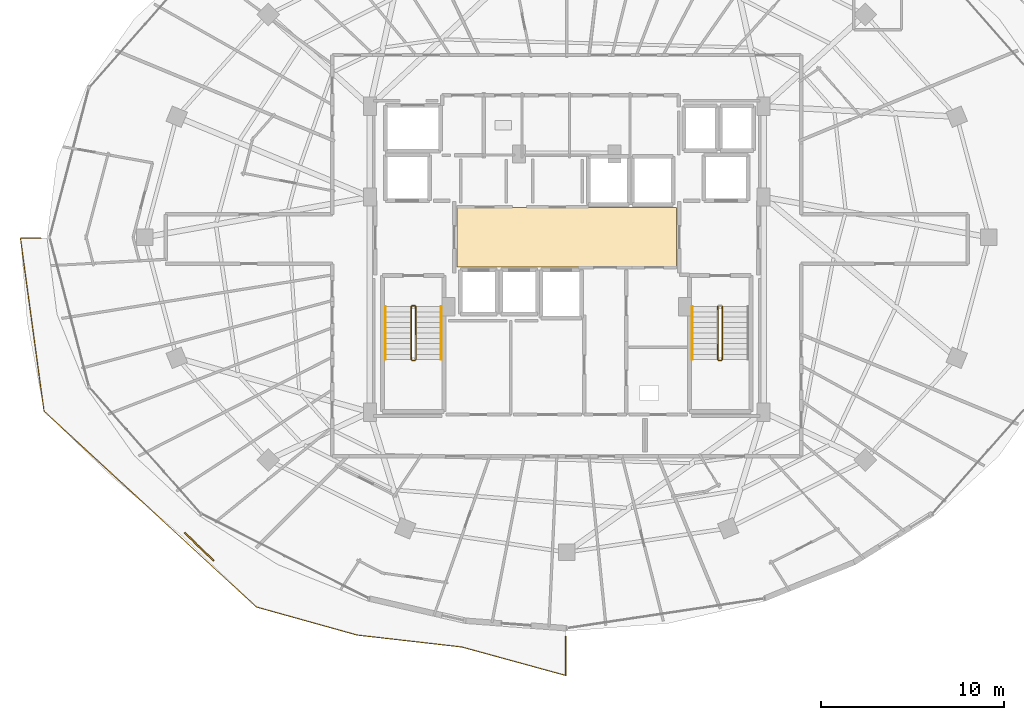
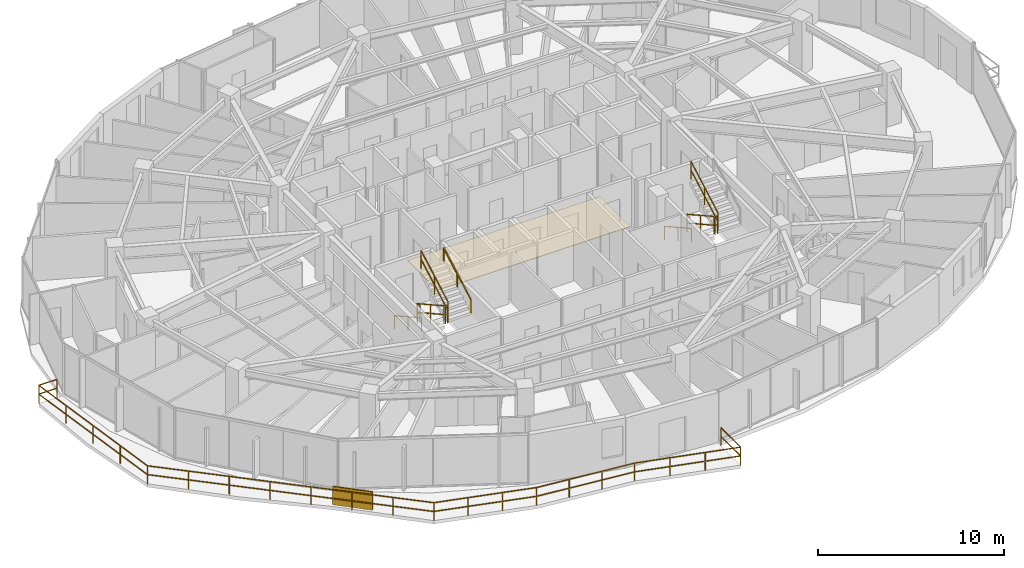
# One storey, part 31 of 33: 12 railings, 1 covering, 1 shading device.
"""IFC4 building model written with IfcOpenShell, lengths in metres."""

from ifc_helpers import new_model, si_unit, direction, frame, origin, origin_2d, place, context, subcontext, project, spatial, polyline, rectangle, outline, extrude, material, layer, layer_set, type_object, element, save


model = new_model("IFC4")

# Units and contexts
model_context = context("Model", 3, precision=1e-05, world=origin(), true_north=direction((0.0, 1.0)))
body_context = subcontext(model_context, "Body", "Model", "MODEL_VIEW")
ifc_project = project(units=[si_unit("LENGTHUNIT", "METRE"), si_unit("AREAUNIT", "SQUARE_METRE"), si_unit("VOLUMEUNIT", "CUBIC_METRE"), si_unit("PLANEANGLEUNIT", "RADIAN"), si_unit("MASSUNIT", "GRAM", prefix="KILO")], contexts=[model_context])

# Site, building, storey
site_placement = place(None, origin())
site = spatial("IfcSite", under=ifc_project, at=site_placement, CompositionType="ELEMENT")
building_placement = place(site_placement, origin())
building = spatial("IfcBuilding", under=site, at=building_placement, Name="Vorneva Point Tower", CompositionType="ELEMENT")
storey_placement = place(building_placement, frame((0.0, 0.0, 217.85009765625)))
storey = spatial("IfcBuildingStorey", under=building, at=storey_placement, Name="L59", CompositionType="ELEMENT", Elevation=217.85009765625)

# Covering
ifc_material_1 = material(Name="Acoustic wool hospitality carpet", Category="textile")
ifc_layer = layer(ifc_material_1, 0.01806640625)
ifc_layer_set = layer_set([ifc_layer], Name="Acoustic wool hospitality carpet")
covering_type = type_object("IfcCoveringType", Name="COV-FLR-CRP", PredefinedType="FLOORING", material=ifc_layer_set)
covering_placement = place(storey_placement, frame((0.0, 0.0, -0.005126953125)))
element("IfcCovering", 1, at=covering_placement, inside=storey, type_object=covering_type, Name="L59 Lift Lobby Floor Finish", PredefinedType="FLOORING", context=body_context, shape_type="SweptSolid", body=[
    extrude(outline(polyline([(32.02001953125, 24.3701171875), (43.97998046875, 24.3701171875), (43.97998046875, 27.6298828125), (32.02001953125, 27.6298828125), (32.02001953125, 24.3701171875)])), origin(), (0.0, 0.0, 1.0), 0.02294921875),
])

# Railings
ifc_material_2 = material(Name="Pale anodised aluminium", Category="aluminium")
railing_type_1 = type_object("IfcRailingType", Name="RL-BAL-1200", PredefinedType="BALUSTRADE", material=ifc_material_2)
railing_1_placement = place(storey_placement, frame((37.949951171875, 2.068603515625, 0.0)))
element("IfcRailing", 2, at=railing_1_placement, inside=storey, type_object=railing_type_1, Name="L59 Wave Balcony Balustrade SW.1", PredefinedType="BALUSTRADE", context=body_context, shape_type="SweptSolid", body=[
    extrude(rectangle(XDim=0.048095703125, YDim=0.048095703125, at=origin_2d()), frame((0.0, 0.0, 1.17578125), z_axis=(0.0, 1.0, 0.0), x_axis=(-1.0, 0.0, 0.0)), (0.0, 0.0, 1.0), 2.1142578125),
    extrude(rectangle(XDim=0.048095703125, YDim=0.048095703125, at=origin_2d()), frame((0.0, 0.0, 0.60009765625), z_axis=(0.0, 1.0, 0.0), x_axis=(-1.0, 0.0, 0.0)), (0.0, 0.0, 1.0), 2.1142578125),
    extrude(rectangle(XDim=0.0419921875, YDim=0.0419921875, at=origin_2d()), origin(), (0.0, 0.0, 1.0), 1.15185546875),
    extrude(rectangle(XDim=0.0419921875, YDim=0.0419921875, at=origin_2d()), frame((0.0, 2.1142578125, 0.0)), (0.0, 0.0, 1.0), 1.15185546875),
])
railing_2_placement = place(storey_placement, frame((9.3037109375, 25.949951171875, 0.0)))
element("IfcRailing", 3, at=railing_2_placement, inside=storey, type_object=railing_type_1, Name="L59 Wave Balcony Balustrade SW.2", PredefinedType="BALUSTRADE", context=body_context, shape_type="SweptSolid", body=[
    extrude(rectangle(XDim=0.048095703125, YDim=0.048095703125, at=origin_2d()), frame((0.0, 0.0, 1.17578125), z_axis=(-1.0, 0.0, 0.0), x_axis=(0.0, -1.0, 0.0)), (0.0, 0.0, 1.0), 1.134765625),
    extrude(rectangle(XDim=0.048095703125, YDim=0.048095703125, at=origin_2d()), frame((0.0, 0.0, 0.60009765625), z_axis=(-1.0, 0.0, 0.0), x_axis=(0.0, -1.0, 0.0)), (0.0, 0.0, 1.0), 1.134765625),
    extrude(rectangle(XDim=0.048095703125, YDim=0.048095703125, at=origin_2d()), frame((-1.134765625, 0.0, 1.17578125), z_axis=(0.134869854504, -0.990863321728, 0.0), x_axis=(0.990863321728, 0.134869854504, 0.0)), (0.0, 0.0, 1.0), 9.5361328125),
    extrude(rectangle(XDim=0.048095703125, YDim=0.048095703125, at=origin_2d()), frame((-1.134765625, 0.0, 0.60009765625), z_axis=(0.134869854504, -0.990863321728, 0.0), x_axis=(0.990863321728, 0.134869854504, 0.0)), (0.0, 0.0, 1.0), 9.5361328125),
    extrude(rectangle(XDim=0.048095703125, YDim=0.048095703125, at=origin_2d()), frame((0.1513671875, -9.448974609375, 1.17578125), z_axis=(0.735377309745, -0.677657887368, 0.0), x_axis=(0.677657887368, 0.735377309745, 0.0)), (0.0, 0.0, 1.0), 15.78125),
    extrude(rectangle(XDim=0.048095703125, YDim=0.048095703125, at=origin_2d()), frame((0.1513671875, -9.448974609375, 0.60009765625), z_axis=(0.735377309745, -0.677657887368, 0.0), x_axis=(0.677657887368, 0.735377309745, 0.0)), (0.0, 0.0, 1.0), 15.78125),
    extrude(rectangle(XDim=0.048095703125, YDim=0.048095703125, at=origin_2d()), frame((11.756591796875, -20.143310546875, 1.17578125), z_axis=(0.963324519058, -0.268339097005, 0.0), x_axis=(0.268339097005, 0.963324519058, 0.0)), (0.0, 0.0, 1.0), 5.70458984375),
    extrude(rectangle(XDim=0.048095703125, YDim=0.048095703125, at=origin_2d()), frame((11.756591796875, -20.143310546875, 0.60009765625), z_axis=(0.963324519058, -0.268339097005, 0.0), x_axis=(0.268339097005, 0.963324519058, 0.0)), (0.0, 0.0, 1.0), 5.70458984375),
    extrude(rectangle(XDim=0.048095703125, YDim=0.048095703125, at=origin_2d()), frame((17.251953125, -21.674072265625, 1.17578125), z_axis=(0.993563835957, -0.113273579794, 0.0), x_axis=(0.113273579794, 0.993563835957, 0.0)), (0.0, 0.0, 1.0), 5.75048828125),
    extrude(rectangle(XDim=0.048095703125, YDim=0.048095703125, at=origin_2d()), frame((17.251953125, -21.674072265625, 0.60009765625), z_axis=(0.993563835957, -0.113273579794, 0.0), x_axis=(0.113273579794, 0.993563835957, 0.0)), (0.0, 0.0, 1.0), 5.75048828125),
    extrude(rectangle(XDim=0.048095703125, YDim=0.048095703125, at=origin_2d()), frame((22.96533203125, -22.325439453125, 1.17578125), z_axis=(0.964480133149, -0.264155395099, 0.0), x_axis=(0.264155395099, 0.964480133149, 0.0)), (0.0, 0.0, 1.0), 5.89013671875),
    extrude(rectangle(XDim=0.048095703125, YDim=0.048095703125, at=origin_2d()), frame((22.96533203125, -22.325439453125, 0.60009765625), z_axis=(0.964480133149, -0.264155395099, 0.0), x_axis=(0.264155395099, 0.964480133149, 0.0)), (0.0, 0.0, 1.0), 5.89013671875),
    extrude(rectangle(XDim=0.0419921875, YDim=0.0419921875, at=origin_2d()), origin(), (0.0, 0.0, 1.0), 1.15185546875),
    extrude(rectangle(XDim=0.0419921875, YDim=0.0419921875, at=origin_2d()), frame((-1.134765625, 0.0, 0.0)), (0.0, 0.0, 1.0), 1.15185546875),
    extrude(rectangle(XDim=0.0419921875, YDim=0.0419921875, at=origin_2d()), frame((-0.813232421875, -2.3623046875, 0.0)), (0.0, 0.0, 1.0), 1.15185546875),
    extrude(rectangle(XDim=0.0419921875, YDim=0.0419921875, at=origin_2d()), frame((-0.49169921875, -4.724609375, 0.0)), (0.0, 0.0, 1.0), 1.15185546875),
    extrude(rectangle(XDim=0.0419921875, YDim=0.0419921875, at=origin_2d()), frame((-0.170166015625, -7.086669921875, 0.0)), (0.0, 0.0, 1.0), 1.15185546875),
    extrude(rectangle(XDim=0.0419921875, YDim=0.0419921875, at=origin_2d()), frame((0.1513671875, -9.448974609375, 0.0)), (0.0, 0.0, 1.0), 1.15185546875),
    extrude(rectangle(XDim=0.0419921875, YDim=0.0419921875, at=origin_2d()), frame((1.809326171875, -10.976806640625, 0.0)), (0.0, 0.0, 1.0), 1.15185546875),
    extrude(rectangle(XDim=0.0419921875, YDim=0.0419921875, at=origin_2d()), frame((3.467041015625, -12.50439453125, 0.0)), (0.0, 0.0, 1.0), 1.15185546875),
    extrude(rectangle(XDim=0.0419921875, YDim=0.0419921875, at=origin_2d()), frame((5.125, -14.0322265625, 0.0)), (0.0, 0.0, 1.0), 1.15185546875),
    extrude(rectangle(XDim=0.0419921875, YDim=0.0419921875, at=origin_2d()), frame((6.782958984375, -15.56005859375, 0.0)), (0.0, 0.0, 1.0), 1.15185546875),
    extrude(rectangle(XDim=0.0419921875, YDim=0.0419921875, at=origin_2d()), frame((8.44091796875, -17.087890625, 0.0)), (0.0, 0.0, 1.0), 1.15185546875),
    extrude(rectangle(XDim=0.0419921875, YDim=0.0419921875, at=origin_2d()), frame((10.0986328125, -18.615478515625, 0.0)), (0.0, 0.0, 1.0), 1.15185546875),
    extrude(rectangle(XDim=0.0419921875, YDim=0.0419921875, at=origin_2d()), frame((11.756591796875, -20.143310546875, 0.0)), (0.0, 0.0, 1.0), 1.15185546875),
    extrude(rectangle(XDim=0.0419921875, YDim=0.0419921875, at=origin_2d()), frame((13.58837890625, -20.653564453125, 0.0)), (0.0, 0.0, 1.0), 1.15185546875),
    extrude(rectangle(XDim=0.0419921875, YDim=0.0419921875, at=origin_2d()), frame((15.420166015625, -21.163818359375, 0.0)), (0.0, 0.0, 1.0), 1.15185546875),
    extrude(rectangle(XDim=0.0419921875, YDim=0.0419921875, at=origin_2d()), frame((17.251953125, -21.674072265625, 0.0)), (0.0, 0.0, 1.0), 1.15185546875),
    extrude(rectangle(XDim=0.0419921875, YDim=0.0419921875, at=origin_2d()), frame((19.156494140625, -21.89111328125, 0.0)), (0.0, 0.0, 1.0), 1.15185546875),
    extrude(rectangle(XDim=0.0419921875, YDim=0.0419921875, at=origin_2d()), frame((21.060791015625, -22.1083984375, 0.0)), (0.0, 0.0, 1.0), 1.15185546875),
    extrude(rectangle(XDim=0.0419921875, YDim=0.0419921875, at=origin_2d()), frame((22.96533203125, -22.325439453125, 0.0)), (0.0, 0.0, 1.0), 1.15185546875),
    extrude(rectangle(XDim=0.0419921875, YDim=0.0419921875, at=origin_2d()), frame((24.85888671875, -22.843994140625, 0.0)), (0.0, 0.0, 1.0), 1.15185546875),
    extrude(rectangle(XDim=0.0419921875, YDim=0.0419921875, at=origin_2d()), frame((26.752685546875, -23.36279296875, 0.0)), (0.0, 0.0, 1.0), 1.15185546875),
    extrude(rectangle(XDim=0.0419921875, YDim=0.0419921875, at=origin_2d()), frame((28.646240234375, -23.88134765625, 0.0)), (0.0, 0.0, 1.0), 1.15185546875),
])
ifc_material_3 = material(Name="Brushed stainless steel S304", Category="steel")
railing_type_2 = type_object("IfcRailingType", Name="RL-HND-920", PredefinedType="HANDRAIL", material=ifc_material_3)
railing_3_placement = place(storey_placement, frame((28.10009765625, 22.219970703125, 0.161376953125)))
element("IfcRailing", 4, at=railing_3_placement, inside=storey, type_object=railing_type_2, Name="L59 ST1 stair handrail 1", PredefinedType="HANDRAIL", context=body_context, shape_type="SweptSolid", body=[
    extrude(rectangle(XDim=0.048095703125, YDim=0.048095703125, at=origin_2d()), frame((0.0, 0.0, 0.8759765625), z_axis=(0.0, -0.873841303929, 0.486211245805), x_axis=(1.0, 0.0, 0.0)), (0.0, 0.0, 1.0), 3.318603515625),
    extrude(rectangle(XDim=0.0419921875, YDim=0.0419921875, at=origin_2d()), origin(), (0.0, 0.0, 1.0), 0.851806640625),
    extrude(rectangle(XDim=0.0419921875, YDim=0.0419921875, at=origin_2d()), frame((0.0, -1.449951171875, 0.806640625)), (0.0, 0.0, 1.0), 0.851806640625),
    extrude(rectangle(XDim=0.0419921875, YDim=0.0419921875, at=origin_2d()), frame((0.0, -2.89990234375, 1.613525390625)), (0.0, 0.0, 1.0), 0.851806640625),
])
railing_4_placement = place(storey_placement, frame((31.14990234375, 19.320068359375, 1.936279296875)))
element("IfcRailing", 5, at=railing_4_placement, inside=storey, type_object=railing_type_2, Name="L59 ST1 stair handrail 2", PredefinedType="HANDRAIL", context=body_context, shape_type="SweptSolid", body=[
    extrude(rectangle(XDim=0.048095703125, YDim=0.048095703125, at=origin_2d()), frame((0.0, 0.0, 0.8759765625), z_axis=(0.0, 0.873841303929, 0.486211245805), x_axis=(-1.0, 0.0, 0.0)), (0.0, 0.0, 1.0), 3.318603515625),
    extrude(rectangle(XDim=0.0419921875, YDim=0.0419921875, at=origin_2d()), origin(), (0.0, 0.0, 1.0), 0.851806640625),
    extrude(rectangle(XDim=0.0419921875, YDim=0.0419921875, at=origin_2d()), frame((0.0, 1.449951171875, 0.806640625)), (0.0, 0.0, 1.0), 0.851806640625),
    extrude(rectangle(XDim=0.0419921875, YDim=0.0419921875, at=origin_2d()), frame((0.0, 2.89990234375, 1.613525390625)), (0.0, 0.0, 1.0), 0.851806640625),
])
railing_5_placement = place(storey_placement, frame((44.85009765625, 22.219970703125, 0.161376953125)))
element("IfcRailing", 6, at=railing_5_placement, inside=storey, type_object=railing_type_2, Name="L59 ST2 stair handrail 1", PredefinedType="HANDRAIL", context=body_context, shape_type="SweptSolid", body=[
    extrude(rectangle(XDim=0.048095703125, YDim=0.048095703125, at=origin_2d()), frame((0.0, 0.0, 0.8759765625), z_axis=(0.0, -0.873841303929, 0.486211245805), x_axis=(1.0, 0.0, 0.0)), (0.0, 0.0, 1.0), 3.318603515625),
    extrude(rectangle(XDim=0.0419921875, YDim=0.0419921875, at=origin_2d()), origin(), (0.0, 0.0, 1.0), 0.851806640625),
    extrude(rectangle(XDim=0.0419921875, YDim=0.0419921875, at=origin_2d()), frame((0.0, -1.449951171875, 0.806640625)), (0.0, 0.0, 1.0), 0.851806640625),
    extrude(rectangle(XDim=0.0419921875, YDim=0.0419921875, at=origin_2d()), frame((0.0, -2.89990234375, 1.613525390625)), (0.0, 0.0, 1.0), 0.851806640625),
])
railing_type_3 = type_object("IfcRailingType", Name="RL-STG-1100", PredefinedType="GUARDRAIL", material=ifc_material_3)
railing_6_placement = place(storey_placement, frame((29.5, 22.219970703125, 0.161376953125)))
element("IfcRailing", 7, at=railing_6_placement, inside=storey, type_object=railing_type_3, Name="L59 ST1 stair guard 1", PredefinedType="GUARDRAIL", context=body_context, shape_type="SweptSolid", body=[
    extrude(rectangle(XDim=0.048095703125, YDim=0.048095703125, at=origin_2d()), frame((0.0, 0.0, 1.17578125), z_axis=(0.0, -0.873841303929, 0.486211245805), x_axis=(1.0, 0.0, 0.0)), (0.0, 0.0, 1.0), 3.318603515625),
    extrude(rectangle(XDim=0.048095703125, YDim=0.048095703125, at=origin_2d()), frame((0.0, 0.0, 0.60009765625), z_axis=(0.0, -0.873841303929, 0.486211245805), x_axis=(1.0, 0.0, 0.0)), (0.0, 0.0, 1.0), 3.318603515625),
    extrude(rectangle(XDim=0.0419921875, YDim=0.0419921875, at=origin_2d()), origin(), (0.0, 0.0, 1.0), 1.15185546875),
    extrude(rectangle(XDim=0.0419921875, YDim=0.0419921875, at=origin_2d()), frame((0.0, -1.449951171875, 0.806640625)), (0.0, 0.0, 1.0), 1.15185546875),
    extrude(rectangle(XDim=0.0419921875, YDim=0.0419921875, at=origin_2d()), frame((0.0, -2.89990234375, 1.613525390625)), (0.0, 0.0, 1.0), 1.15185546875),
])
railing_7_placement = place(storey_placement, frame((29.550048828125, 19.27001953125, 1.77490234375)))
element("IfcRailing", 8, at=railing_7_placement, inside=storey, type_object=railing_type_3, Name="L59 ST1 stair guard 2", PredefinedType="GUARDRAIL", context=body_context, shape_type="SweptSolid", body=[
    extrude(rectangle(XDim=0.048095703125, YDim=0.048095703125, at=origin_2d()), frame((0.0, 0.0, 1.17578125), z_axis=(1.0, 0.0, 0.0), x_axis=(0.0, 1.0, 0.0)), (0.0, 0.0, 1.0), 0.14990234375),
    extrude(rectangle(XDim=0.048095703125, YDim=0.048095703125, at=origin_2d()), frame((0.0, 0.0, 0.60009765625), z_axis=(1.0, 0.0, 0.0), x_axis=(0.0, 1.0, 0.0)), (0.0, 0.0, 1.0), 0.14990234375),
    extrude(rectangle(XDim=0.0419921875, YDim=0.0419921875, at=origin_2d()), origin(), (0.0, 0.0, 1.0), 1.15185546875),
    extrude(rectangle(XDim=0.0419921875, YDim=0.0419921875, at=origin_2d()), frame((0.14990234375, 0.0, 0.0)), (0.0, 0.0, 1.0), 1.15185546875),
])
railing_8_placement = place(storey_placement, frame((29.75, 19.320068359375, 1.936279296875)))
element("IfcRailing", 9, at=railing_8_placement, inside=storey, type_object=railing_type_3, Name="L59 ST1 stair guard 3", PredefinedType="GUARDRAIL", context=body_context, shape_type="SweptSolid", body=[
    extrude(rectangle(XDim=0.048095703125, YDim=0.048095703125, at=origin_2d()), frame((0.0, 0.0, 1.17578125), z_axis=(0.0, 0.873841303929, 0.486211245805), x_axis=(-1.0, 0.0, 0.0)), (0.0, 0.0, 1.0), 3.318603515625),
    extrude(rectangle(XDim=0.048095703125, YDim=0.048095703125, at=origin_2d()), frame((0.0, 0.0, 0.60009765625), z_axis=(0.0, 0.873841303929, 0.486211245805), x_axis=(-1.0, 0.0, 0.0)), (0.0, 0.0, 1.0), 3.318603515625),
    extrude(rectangle(XDim=0.0419921875, YDim=0.0419921875, at=origin_2d()), origin(), (0.0, 0.0, 1.0), 1.15185546875),
    extrude(rectangle(XDim=0.0419921875, YDim=0.0419921875, at=origin_2d()), frame((0.0, 1.449951171875, 0.806640625)), (0.0, 0.0, 1.0), 1.15185546875),
    extrude(rectangle(XDim=0.0419921875, YDim=0.0419921875, at=origin_2d()), frame((0.0, 2.89990234375, 1.613525390625)), (0.0, 0.0, 1.0), 1.15185546875),
])
railing_9_placement = place(storey_placement, frame((29.550048828125, 22.27001953125, 0.0)))
element("IfcRailing", 10, at=railing_9_placement, inside=storey, type_object=railing_type_3, Name="L59 ST1 stair guard 4", PredefinedType="GUARDRAIL", context=body_context, shape_type="SweptSolid", body=[
    extrude(rectangle(XDim=0.048095703125, YDim=0.048095703125, at=origin_2d()), frame((0.0, 0.0, 1.17578125), z_axis=(1.0, 0.0, 0.0), x_axis=(0.0, 1.0, 0.0)), (0.0, 0.0, 1.0), 0.14990234375),
    extrude(rectangle(XDim=0.048095703125, YDim=0.048095703125, at=origin_2d()), frame((0.0, 0.0, 0.60009765625), z_axis=(1.0, 0.0, 0.0), x_axis=(0.0, 1.0, 0.0)), (0.0, 0.0, 1.0), 0.14990234375),
    extrude(rectangle(XDim=0.0419921875, YDim=0.0419921875, at=origin_2d()), origin(), (0.0, 0.0, 1.0), 1.15185546875),
    extrude(rectangle(XDim=0.0419921875, YDim=0.0419921875, at=origin_2d()), frame((0.14990234375, 0.0, 0.0)), (0.0, 0.0, 1.0), 1.15185546875),
])
railing_10_placement = place(storey_placement, frame((46.25, 22.219970703125, 0.161376953125)))
element("IfcRailing", 11, at=railing_10_placement, inside=storey, type_object=railing_type_3, Name="L59 ST2 stair guard 1", PredefinedType="GUARDRAIL", context=body_context, shape_type="SweptSolid", body=[
    extrude(rectangle(XDim=0.048095703125, YDim=0.048095703125, at=origin_2d()), frame((0.0, 0.0, 1.17578125), z_axis=(0.0, -0.873841303929, 0.486211245805), x_axis=(1.0, 0.0, 0.0)), (0.0, 0.0, 1.0), 3.318603515625),
    extrude(rectangle(XDim=0.048095703125, YDim=0.048095703125, at=origin_2d()), frame((0.0, 0.0, 0.60009765625), z_axis=(0.0, -0.873841303929, 0.486211245805), x_axis=(1.0, 0.0, 0.0)), (0.0, 0.0, 1.0), 3.318603515625),
    extrude(rectangle(XDim=0.0419921875, YDim=0.0419921875, at=origin_2d()), origin(), (0.0, 0.0, 1.0), 1.15185546875),
    extrude(rectangle(XDim=0.0419921875, YDim=0.0419921875, at=origin_2d()), frame((0.0, -1.449951171875, 0.806640625)), (0.0, 0.0, 1.0), 1.15185546875),
    extrude(rectangle(XDim=0.0419921875, YDim=0.0419921875, at=origin_2d()), frame((0.0, -2.89990234375, 1.613525390625)), (0.0, 0.0, 1.0), 1.15185546875),
])
railing_11_placement = place(storey_placement, frame((46.300048828125, 19.27001953125, 1.77490234375)))
element("IfcRailing", 12, at=railing_11_placement, inside=storey, type_object=railing_type_3, Name="L59 ST2 stair guard 2", PredefinedType="GUARDRAIL", context=body_context, shape_type="SweptSolid", body=[
    extrude(rectangle(XDim=0.048095703125, YDim=0.048095703125, at=origin_2d()), frame((0.0, 0.0, 1.17578125), z_axis=(1.0, 0.0, 0.0), x_axis=(0.0, 1.0, 0.0)), (0.0, 0.0, 1.0), 0.14990234375),
    extrude(rectangle(XDim=0.048095703125, YDim=0.048095703125, at=origin_2d()), frame((0.0, 0.0, 0.60009765625), z_axis=(1.0, 0.0, 0.0), x_axis=(0.0, 1.0, 0.0)), (0.0, 0.0, 1.0), 0.14990234375),
    extrude(rectangle(XDim=0.0419921875, YDim=0.0419921875, at=origin_2d()), origin(), (0.0, 0.0, 1.0), 1.15185546875),
    extrude(rectangle(XDim=0.0419921875, YDim=0.0419921875, at=origin_2d()), frame((0.14990234375, 0.0, 0.0)), (0.0, 0.0, 1.0), 1.15185546875),
])
railing_12_placement = place(storey_placement, frame((46.5, 19.320068359375, 1.936279296875)))
element("IfcRailing", 13, at=railing_12_placement, inside=storey, type_object=railing_type_3, Name="L59 ST2 stair guard 3", PredefinedType="GUARDRAIL", context=body_context, shape_type="SweptSolid", body=[
    extrude(rectangle(XDim=0.048095703125, YDim=0.048095703125, at=origin_2d()), frame((0.0, 0.0, 1.17578125), z_axis=(0.0, 0.873841303929, 0.486211245805), x_axis=(-1.0, 0.0, 0.0)), (0.0, 0.0, 1.0), 3.318603515625),
    extrude(rectangle(XDim=0.048095703125, YDim=0.048095703125, at=origin_2d()), frame((0.0, 0.0, 0.60009765625), z_axis=(0.0, 0.873841303929, 0.486211245805), x_axis=(-1.0, 0.0, 0.0)), (0.0, 0.0, 1.0), 3.318603515625),
    extrude(rectangle(XDim=0.0419921875, YDim=0.0419921875, at=origin_2d()), origin(), (0.0, 0.0, 1.0), 1.15185546875),
    extrude(rectangle(XDim=0.0419921875, YDim=0.0419921875, at=origin_2d()), frame((0.0, 1.449951171875, 0.806640625)), (0.0, 0.0, 1.0), 1.15185546875),
    extrude(rectangle(XDim=0.0419921875, YDim=0.0419921875, at=origin_2d()), frame((0.0, 2.89990234375, 1.613525390625)), (0.0, 0.0, 1.0), 1.15185546875),
])

# Shading device
shading_device_type = type_object("IfcShadingDeviceType", Name="SHD-JAL-1200", PredefinedType="JALOUSIE", material=ifc_material_2)
shading_device_placement = place(storey_placement, frame((17.929931640625, 9.10205078125, -0.02001953125), z_axis=(0.0, 0.0, 1.0), x_axis=(0.722774186958, -0.691084274649, 0.0)))
element("IfcShadingDevice", 14, at=shading_device_placement, inside=storey, type_object=shading_device_type, Name="L59 Balcony Vertical-Greenery Planter Screen SW.2", PredefinedType="JALOUSIE", context=body_context, shape_type="SweptSolid", body=[
    extrude(rectangle(XDim=2.199951171875, YDim=0.080078125, at=origin_2d()), origin(), (0.0, 0.0, 1.0), 1.199951171875),
])

save(model, "model.ifc")
